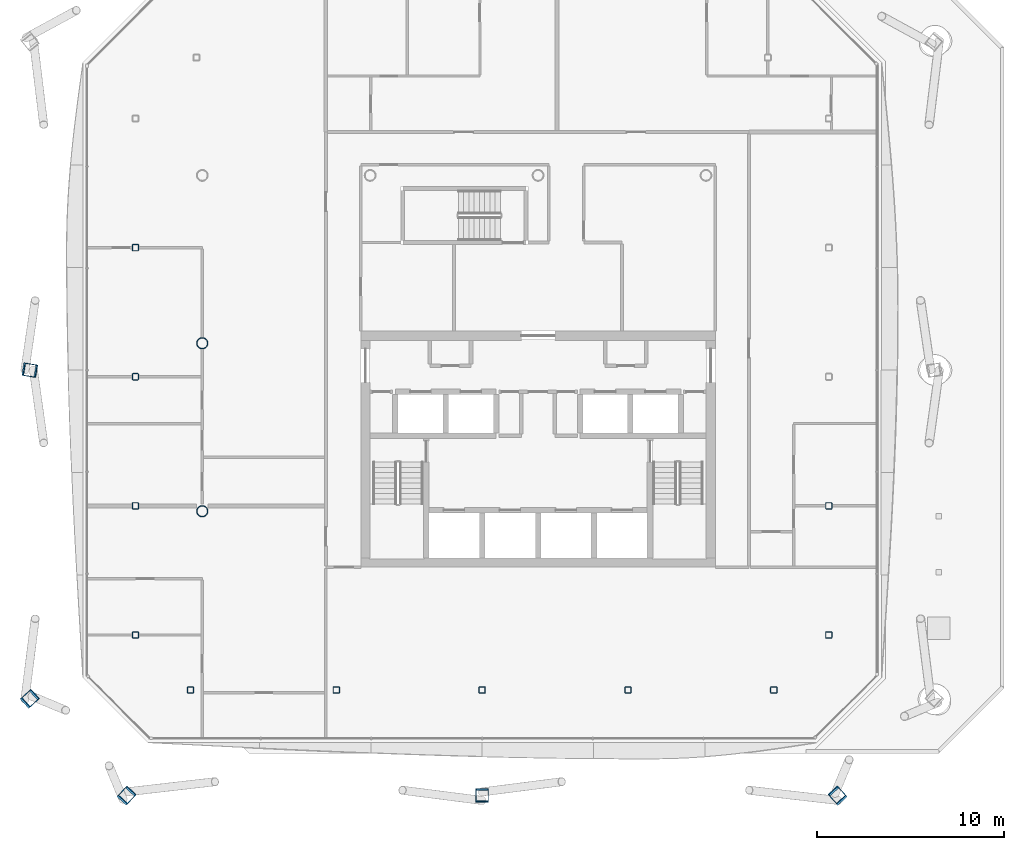
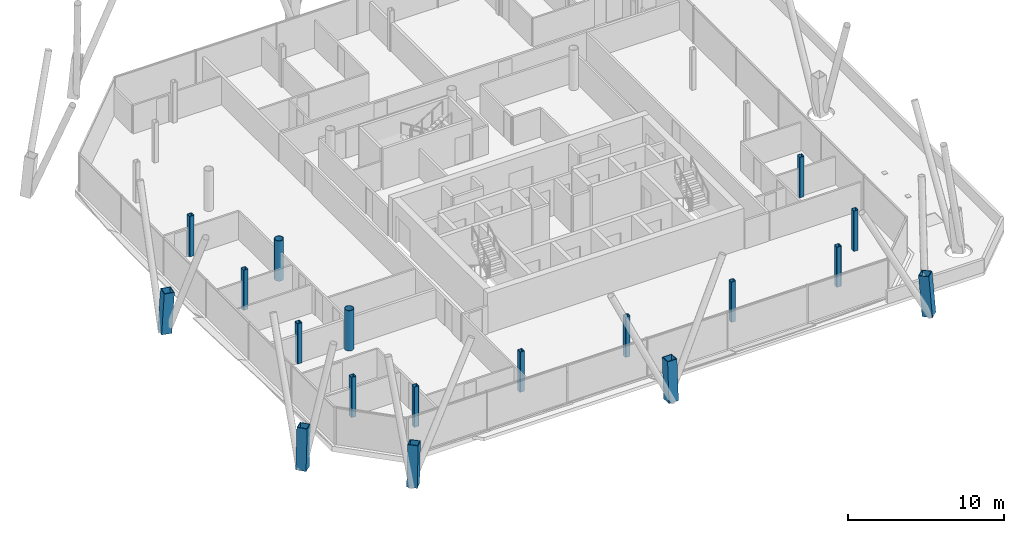
# One storey, part 1 of 21: 18 columns.
"""IFC4 building model written with IfcOpenShell, lengths in metres."""

from ifc_helpers import new_model, si_unit, direction, frame, origin, origin_2d, place, context, subcontext, project, spatial, hollow_rectangle, hollow_circle, extrude, material, material_profile, profile_set, type_object, element, save


model = new_model("IFC4")

# Units and contexts
model_context = context("Model", 3, precision=1e-05, world=origin(), true_north=direction((0.0, 1.0)))
body_context = subcontext(model_context, "Body", "Model", "MODEL_VIEW")
ifc_project = project(units=[si_unit("LENGTHUNIT", "METRE"), si_unit("AREAUNIT", "SQUARE_METRE"), si_unit("VOLUMEUNIT", "CUBIC_METRE"), si_unit("PLANEANGLEUNIT", "RADIAN"), si_unit("MASSUNIT", "GRAM", prefix="KILO")], contexts=[model_context])

# Site, building, storey
site_placement = place(None, origin())
site = spatial("IfcSite", under=ifc_project, at=site_placement, CompositionType="ELEMENT")
building_placement = place(site_placement, origin())
building = spatial("IfcBuilding", under=site, at=building_placement, Name="Tskaro Facet Tower", CompositionType="ELEMENT")
storey_placement = place(building_placement, frame((0.0, 0.0, 172.199951171875)))
storey = spatial("IfcBuildingStorey", under=building, at=storey_placement, Name="L42", CompositionType="ELEMENT", Elevation=172.199951171875)

# Columns
ifc_material_1 = material(Name="Steel S460M", Category="steel")
ifc_material_profile_1 = material_profile(ifc_material_1, hollow_rectangle(XDim=0.699951171875, YDim=0.699951171875, WallThickness=0.044921875, at=origin_2d()), Name="BOX 700x700x45")
ifc_profile_set_1 = profile_set([ifc_material_profile_1], Name="Steel S460M")
column_type_1 = type_object("IfcColumnType", Name="BOX 700x700x45 mega column", PredefinedType="COLUMN", material=ifc_profile_set_1)
column_1_placement = place(storey_placement, frame((-22.0849609375, -24.27587890625, 0.0), z_axis=(0.052847884817, 0.057869979134, 0.996924353492), x_axis=(-0.738421459448, 0.674339490337, 0.0)))
element("IfcColumn", 1, at=column_1_placement, inside=storey, type_object=column_type_1, Name="BOX 700x700x45 MC01/4", PredefinedType="COLUMN", context=body_context, shape_type="SweptSolid", body=[
    extrude(hollow_rectangle(XDim=0.699951171875, YDim=0.699951171875, WallThickness=0.044921875, at=origin_2d()), origin(), (0.0, 0.0, 1.0), 3.159912109375),
])
column_2_placement = place(storey_placement, frame((-3.0, -24.27587890625, 0.0), z_axis=(0.0, 0.057950961306, 0.998319430886), x_axis=(-1.0, 0.0, 0.0)))
element("IfcColumn", 2, at=column_2_placement, inside=storey, type_object=column_type_1, Name="BOX 700x700x45 MC02/4", PredefinedType="COLUMN", context=body_context, shape_type="SweptSolid", body=[
    extrude(hollow_rectangle(XDim=0.699951171875, YDim=0.699951171875, WallThickness=0.044921875, at=origin_2d()), origin(), (0.0, 0.0, 1.0), 3.155517578125),
])
column_3_placement = place(storey_placement, frame((16.0849609375, -24.27587890625, 0.0), z_axis=(-0.052847884817, 0.057869979134, 0.996924353492), x_axis=(-0.738421459448, -0.674339490337, 0.0)))
element("IfcColumn", 3, at=column_3_placement, inside=storey, type_object=column_type_1, Name="BOX 700x700x45 MC03/4", PredefinedType="COLUMN", context=body_context, shape_type="SweptSolid", body=[
    extrude(hollow_rectangle(XDim=0.699951171875, YDim=0.699951171875, WallThickness=0.044921875, at=origin_2d()), origin(), (0.0, 0.0, 1.0), 3.159912109375),
])
column_4_placement = place(storey_placement, frame((-27.27587890625, -1.43408203125, 0.0), z_axis=(0.057948337275, -0.009516215601, 0.998274226777), x_axis=(0.162048444398, 0.986782803695, 0.0)))
element("IfcColumn", 4, at=column_4_placement, inside=storey, type_object=column_type_1, Name="BOX 700x700x45 MC11/4", PredefinedType="COLUMN", context=body_context, shape_type="SweptSolid", body=[
    extrude(hollow_rectangle(XDim=0.699951171875, YDim=0.699951171875, WallThickness=0.044921875, at=origin_2d()), origin(), (0.0, 0.0, 1.0), 3.155517578125),
])
column_5_placement = place(storey_placement, frame((-27.27587890625, -19.0849609375, 0.0), z_axis=(0.057869979134, 0.052847884817, 0.996924353492), x_axis=(-0.674339490337, 0.738421459448, 0.0)))
element("IfcColumn", 5, at=column_5_placement, inside=storey, type_object=column_type_1, Name="BOX 700x700x45 MC12/4", PredefinedType="COLUMN", context=body_context, shape_type="SweptSolid", body=[
    extrude(hollow_rectangle(XDim=0.699951171875, YDim=0.699951171875, WallThickness=0.044921875, at=origin_2d()), origin(), (0.0, 0.0, 1.0), 3.159912109375),
])
ifc_material_2 = material(Name="Steel S355J2H", Category="steel")
ifc_material_profile_2 = material_profile(ifc_material_2, hollow_circle(Radius=0.304931640625, WallThickness=0.030029296875, at=origin_2d()), Name="CHS 610x30")
ifc_profile_set_2 = profile_set([ifc_material_profile_2], Name="Steel S355J2H")
column_type_2 = type_object("IfcColumnType", Name="CHS 610x30 interior column", PredefinedType="COLUMN", material=ifc_profile_set_2)
for number, where, z_axis, x_axis, name in (
    (6, (-18.0, -9.0, 0.0), (0.0, 0.0, 1.0), (1.0, 0.0, 0.0), "CHS 610x30 C2C/4"),
    (7, (-18.0, 0.0, 0.0), (0.0, 0.0, 1.0), (1.0, 0.0, 0.0), "CHS 610x30 C2D/4"),
):
    element("IfcColumn", number, at=place(storey_placement, frame(where, z_axis=z_axis, x_axis=x_axis)), inside=storey, type_object=column_type_2, Name=name, PredefinedType="COLUMN", context=body_context, shape_type="SweptSolid", body=[
        extrude(hollow_circle(Radius=0.304931640625, WallThickness=0.030029296875, at=origin_2d()), origin(), (0.0, 0.0, 1.0), 3.150146484375),
    ])
ifc_material_profile_3 = material_profile(ifc_material_2, hollow_rectangle(XDim=0.35009765625, YDim=0.35009765625, WallThickness=0.02001953125, InnerFilletRadius=0.030029296875, OuterFilletRadius=0.050048828125, at=origin_2d()), Name="SHS 350x350x20")
ifc_profile_set_3 = profile_set([ifc_material_profile_3], Name="Steel S355J2H")
column_type_3 = type_object("IfcColumnType", Name="SHS 350x350x20 ring column", PredefinedType="COLUMN", material=ifc_profile_set_3)
for number, where, z_axis, x_axis, name in (
    (8, (-18.633056640625, -18.5830078125, 0.0), (0.0, 0.0, 1.0), (1.0, 0.0, 0.0), "SHS 350x350x20 RS-1/4"),
    (9, (-10.81591796875, -18.5830078125, 0.0), (0.0, 0.0, 1.0), (1.0, 0.0, 0.0), "SHS 350x350x20 RS-2/4"),
    (10, (-3.0, -18.5830078125, 0.0), (0.0, 0.0, 1.0), (1.0, 0.0, 0.0), "SHS 350x350x20 RS-3/4"),
    (11, (4.81689453125, -18.5830078125, 0.0), (0.0, 0.0, 1.0), (1.0, 0.0, 0.0), "SHS 350x350x20 RS-4/4"),
    (12, (12.633056640625, -18.5830078125, 0.0), (0.0, 0.0, 1.0), (1.0, 0.0, 0.0), "SHS 350x350x20 RSE-1/4"),
    (13, (15.5830078125, -15.633056640625, 0.0), (0.0, 0.0, 1.0), (1.0, 0.0, 0.0), "SHS 350x350x20 RE-1/4"),
    (14, (15.5830078125, -8.712890625, 0.0), (0.0, 0.0, 1.0), (1.0, 0.0, 0.0), "SHS 350x350x20 RE-2/4"),
    (15, (-21.5830078125, 5.1259765625, 0.0), (0.0, 0.0, 1.0), (1.0, 0.0, 0.0), "SHS 350x350x20 RW-2/4"),
    (16, (-21.5830078125, -1.79296875, 0.0), (0.0, 0.0, 1.0), (1.0, 0.0, 0.0), "SHS 350x350x20 RW-3/4"),
    (17, (-21.5830078125, -8.712890625, 0.0), (0.0, 0.0, 1.0), (1.0, 0.0, 0.0), "SHS 350x350x20 RW-4/4"),
    (18, (-21.5830078125, -15.633056640625, 0.0), (0.0, 0.0, 1.0), (1.0, 0.0, 0.0), "SHS 350x350x20 RSW-1/4"),
):
    element("IfcColumn", number, at=place(storey_placement, frame(where, z_axis=z_axis, x_axis=x_axis)), inside=storey, type_object=column_type_3, Name=name, PredefinedType="COLUMN", context=body_context, shape_type="SweptSolid", body=[
        extrude(hollow_rectangle(XDim=0.35009765625, YDim=0.35009765625, WallThickness=0.02001953125, InnerFilletRadius=0.030029296875, OuterFilletRadius=0.050048828125, at=origin_2d()), origin(), (0.0, 0.0, 1.0), 3.150146484375),
    ])

save(model, "model.ifc")
